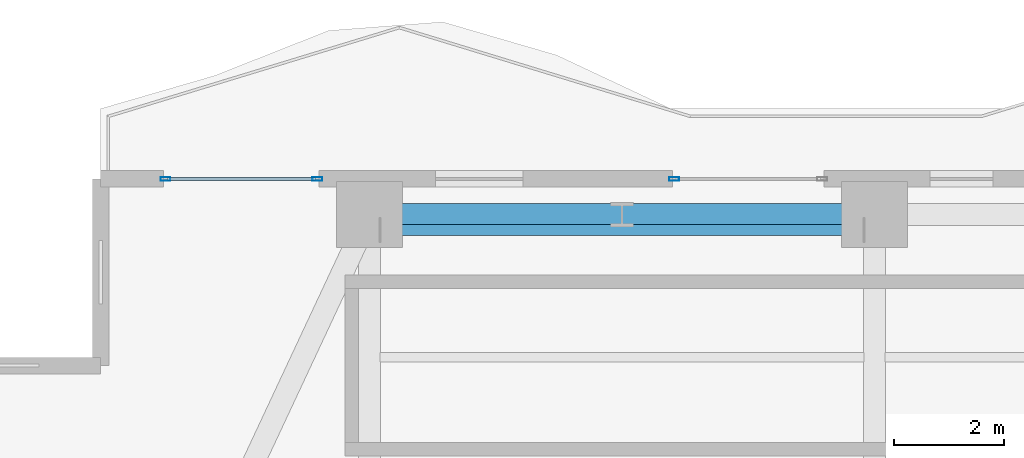
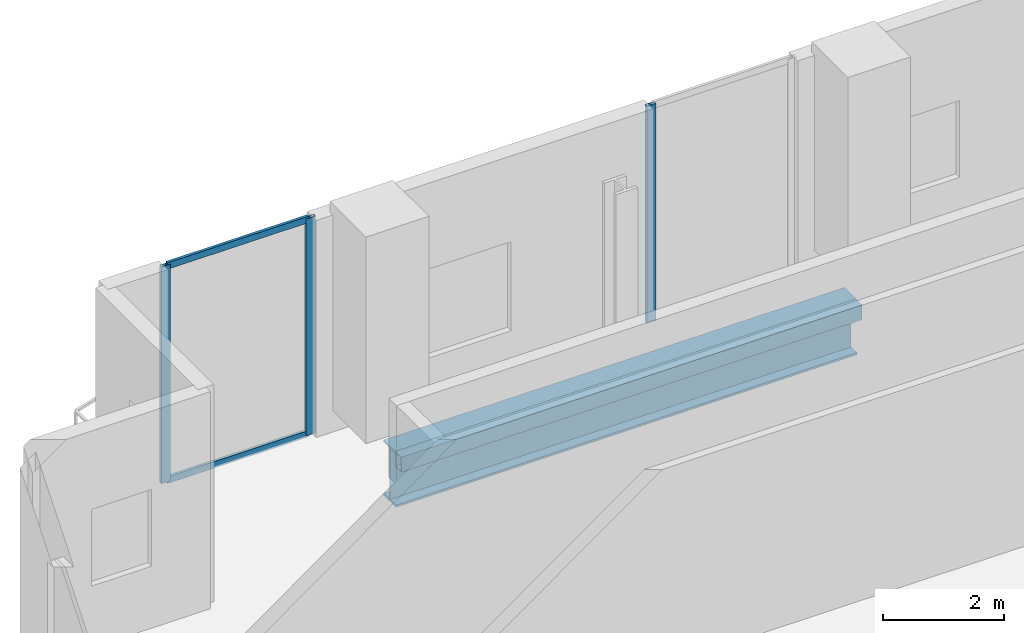
# One storey, part 18 of 33: 5 members, 2 beams, 2 elements without a shape of their own.
"""IFC4 building model written with IfcOpenShell, lengths in metres."""

from ifc_helpers import new_model, si_unit, direction, frame, origin, origin_2d, place, context, subcontext, project, spatial, hollow_rectangle, i_section, extrude, material, layer, layer_set, material_profile, profile_set, type_object, element, aggregate, save


model = new_model("IFC4")

# Units and contexts
model_context = context("Model", 3, precision=1e-05, world=origin(), true_north=direction((0.0, 1.0)))
body_context = subcontext(model_context, "Body", "Model", "MODEL_VIEW")
ifc_project = project(units=[si_unit("LENGTHUNIT", "METRE"), si_unit("AREAUNIT", "SQUARE_METRE"), si_unit("VOLUMEUNIT", "CUBIC_METRE"), si_unit("PLANEANGLEUNIT", "RADIAN"), si_unit("MASSUNIT", "GRAM", prefix="KILO")], contexts=[model_context])

# Site, building, storey
site_placement = place(None, origin())
site = spatial("IfcSite", under=ifc_project, at=site_placement, CompositionType="ELEMENT")
building_placement = place(site_placement, origin())
building = spatial("IfcBuilding", under=site, at=building_placement, Name="Zuhayl Quay Hotel", CompositionType="ELEMENT")
storey_placement = place(building_placement, frame((0.0, 0.0, 168.199951171875)))
storey = spatial("IfcBuildingStorey", under=building, at=storey_placement, Name="L42", CompositionType="ELEMENT", Elevation=168.199951171875)

# Beams
ifc_material_1 = material(Name="Steel ASTM A500 Grade C", Category="steel")
ifc_material_profile_1 = material_profile(ifc_material_1, hollow_rectangle(XDim=0.199951171875, YDim=0.300048828125, WallThickness=0.012451171875, at=origin_2d()), Name="HSS300X200X12")
ifc_profile_set_1 = profile_set([ifc_material_profile_1], Name="Steel ASTM A500 Grade C")
beam_type_1 = type_object("IfcBeamType", Name="BM_SP1_HSS300", PredefinedType="SPANDREL", material=ifc_profile_set_1)
beam_1_placement = place(storey_placement, frame((-13.60009765625, 32.669921875, -0.409912109375), z_axis=(1.0, 0.0, 0.0), x_axis=(0.0, 1.0, 0.0)))
element("IfcBeam", 1, at=beam_1_placement, inside=storey, type_object=beam_type_1, Name="L42 Perimeter Spandrel Beam SP1-1", PredefinedType="SPANDREL", context=body_context, shape_type="SweptSolid", body=[
    extrude(hollow_rectangle(XDim=0.199951171875, YDim=0.300048828125, WallThickness=0.012451171875, at=origin_2d()), origin(), (0.0, 0.0, 1.0), 8.800048828125),
])
ifc_material_2 = material(Name="Steel ASTM A913 Grade 65", Category="steel")
ifc_material_profile_2 = material_profile(ifc_material_2, i_section(OverallWidth=0.404052734375, OverallDepth=1.117919921875, WebThickness=0.026123046875, FlangeThickness=0.044921875, at=origin_2d()), Name="W44X335")
ifc_profile_set_2 = profile_set([ifc_material_profile_2], Name="Steel ASTM A913 Grade 65")
beam_type_2 = type_object("IfcBeamType", Name="BM_TG1_W44X335", PredefinedType="BEAM", material=ifc_profile_set_2)
beam_2_placement = place(storey_placement, frame((-4.800048828125, 32.949951171875, -0.81884765625), z_axis=(-1.0, 0.0, 0.0), x_axis=(0.0, -1.0, 0.0)))
element("IfcBeam", 2, at=beam_2_placement, inside=storey, type_object=beam_type_2, Name="L42 Floor Beam RG_L42_09", PredefinedType="BEAM", context=body_context, shape_type="SweptSolid", body=[
    extrude(i_section(OverallWidth=0.404052734375, OverallDepth=1.117919921875, WebThickness=0.026123046875, FlangeThickness=0.044921875, at=origin_2d()), origin(), (0.0, 0.0, 1.0), 8.800048828125),
])

# Curtain wall, members
ifc_material_3 = material(Name="Anodised Aluminium 6063-T6", Category="aluminium")
ifc_layer = layer(ifc_material_3, 0.175048828125, Name="Anodised Aluminium 6063-T6", Category="aluminium")
ifc_layer_set = layer_set([ifc_layer], Name="Anodised Aluminium 6063-T6")
curtain_wall_type = type_object("IfcCurtainWallType", Name="CW_SYS_Z3", PredefinedType="USERDEFINED", material=ifc_layer_set)
curtain_wall_1_placement = place(storey_placement, origin())
curtain_wall_1 = element("IfcCurtainWall", 3, at=curtain_wall_1_placement, inside=storey, type_object=curtain_wall_type, Name="L42 Curtain Wall ENV_L42_N_CW1", ObjectType="UNITISED CURTAIN WALL", PredefinedType="USERDEFINED")
ifc_material_4 = material(Name="Black-anodised aluminium 6063-T6", Category="aluminium")
ifc_material_profile_3 = material_profile(ifc_material_4, hollow_rectangle(XDim=0.06494140625, YDim=0.179931640625, WallThickness=0.00341796875, at=origin_2d()), Name="ALU180X65")
ifc_profile_set_3 = profile_set([ifc_material_profile_3], Name="Black-anodised aluminium 6063-T6")
member_type_1 = type_object("IfcMemberType", Name="MB_CW_MUL_180", PredefinedType="MULLION", material=ifc_profile_set_3)
member_1_placement = place(storey_placement, frame((-17.517578125, 33.60009765625, 0.0), z_axis=(0.0, 0.0, 1.0), x_axis=(0.0, 1.0, 0.0)))
member_1 = element("IfcMember", 4, at=member_1_placement, type_object=member_type_1, Name="CW-Z3 mullion 1", PredefinedType="MULLION", context=body_context, shape_type="SweptSolid", body=[
    extrude(hollow_rectangle(XDim=0.06494140625, YDim=0.179931640625, WallThickness=0.00341796875, at=origin_2d()), origin(), (0.0, 0.0, 1.0), 4.380126953125),
])
member_2_placement = place(storey_placement, frame((-14.75244140625, 33.60009765625, 0.0), z_axis=(0.0, 0.0, 1.0), x_axis=(0.0, 1.0, 0.0)))
member_2 = element("IfcMember", 5, at=member_2_placement, type_object=member_type_1, Name="CW-Z3 mullion 2", PredefinedType="MULLION", context=body_context, shape_type="SweptSolid", body=[
    extrude(hollow_rectangle(XDim=0.06494140625, YDim=0.179931640625, WallThickness=0.00341796875, at=origin_2d()), origin(), (0.0, 0.0, 1.0), 4.380126953125),
])

# Curtain wall, member
curtain_wall_2_placement = place(storey_placement, origin())
curtain_wall_2 = element("IfcCurtainWall", 6, at=curtain_wall_2_placement, inside=storey, type_object=curtain_wall_type, Name="L42 Curtain Wall ENV_L42_N_CW2", ObjectType="UNITISED CURTAIN WALL", PredefinedType="USERDEFINED")
member_3_placement = place(storey_placement, frame((-8.24755859375, 33.60009765625, 0.0), z_axis=(0.0, 0.0, 1.0), x_axis=(0.0, 1.0, 0.0)))
member_3 = element("IfcMember", 7, at=member_3_placement, type_object=member_type_1, Name="CW-Z3 mullion 1", PredefinedType="MULLION", context=body_context, shape_type="SweptSolid", body=[
    extrude(hollow_rectangle(XDim=0.06494140625, YDim=0.179931640625, WallThickness=0.00341796875, at=origin_2d()), origin(), (0.0, 0.0, 1.0), 4.380126953125),
])
aggregate(curtain_wall_2, [member_3])

# Member
ifc_material_profile_4 = material_profile(ifc_material_4, hollow_rectangle(XDim=0.054931640625, YDim=0.1298828125, WallThickness=0.0029296875, at=origin_2d()), Name="ALU130X55")
ifc_profile_set_4 = profile_set([ifc_material_profile_4], Name="Black-anodised aluminium 6063-T6")
member_type_2 = type_object("IfcMemberType", Name="MB_CW_TRN_130", PredefinedType="USERDEFINED", material=ifc_profile_set_4)
member_4_placement = place(storey_placement, frame((-17.485107421875, 33.60009765625, 0.027587890625), z_axis=(1.0, 0.0, 0.0), x_axis=(0.0, 1.0, 0.0)))
member_4 = element("IfcMember", 8, at=member_4_placement, type_object=member_type_2, Name="CW-Z3 transom 1.1", ObjectType="TRANSOM", PredefinedType="USERDEFINED", context=body_context, shape_type="SweptSolid", body=[
    extrude(hollow_rectangle(XDim=0.054931640625, YDim=0.1298828125, WallThickness=0.0029296875, at=origin_2d()), origin(), (0.0, 0.0, 1.0), 2.7001953125),
])

member_5_placement = place(storey_placement, frame((-17.485107421875, 33.60009765625, 4.3525390625), z_axis=(1.0, 0.0, 0.0), x_axis=(0.0, 1.0, 0.0)))
member_5 = element("IfcMember", 9, at=member_5_placement, type_object=member_type_2, Name="CW-Z3 transom 1.2", ObjectType="TRANSOM", PredefinedType="USERDEFINED", context=body_context, shape_type="SweptSolid", body=[
    extrude(hollow_rectangle(XDim=0.054931640625, YDim=0.1298828125, WallThickness=0.0029296875, at=origin_2d()), origin(), (0.0, 0.0, 1.0), 2.7001953125),
])

aggregate(curtain_wall_1, [member_1, member_2, member_4, member_5])

save(model, "model.ifc")
